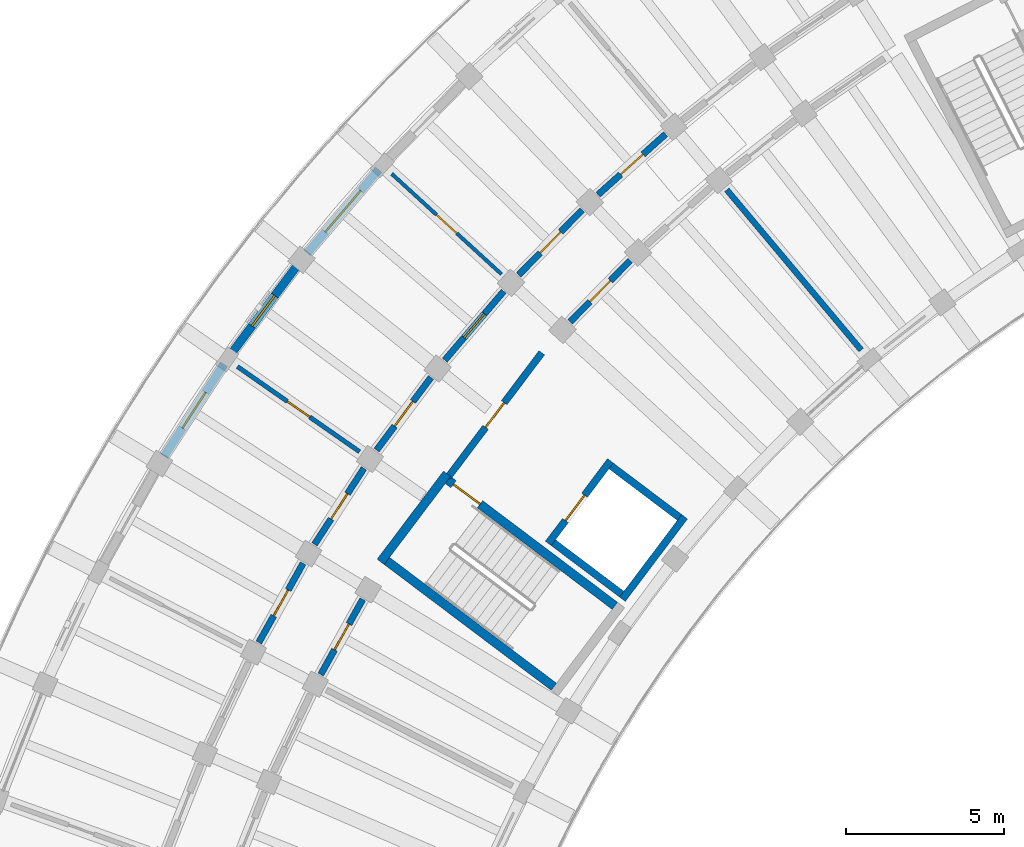
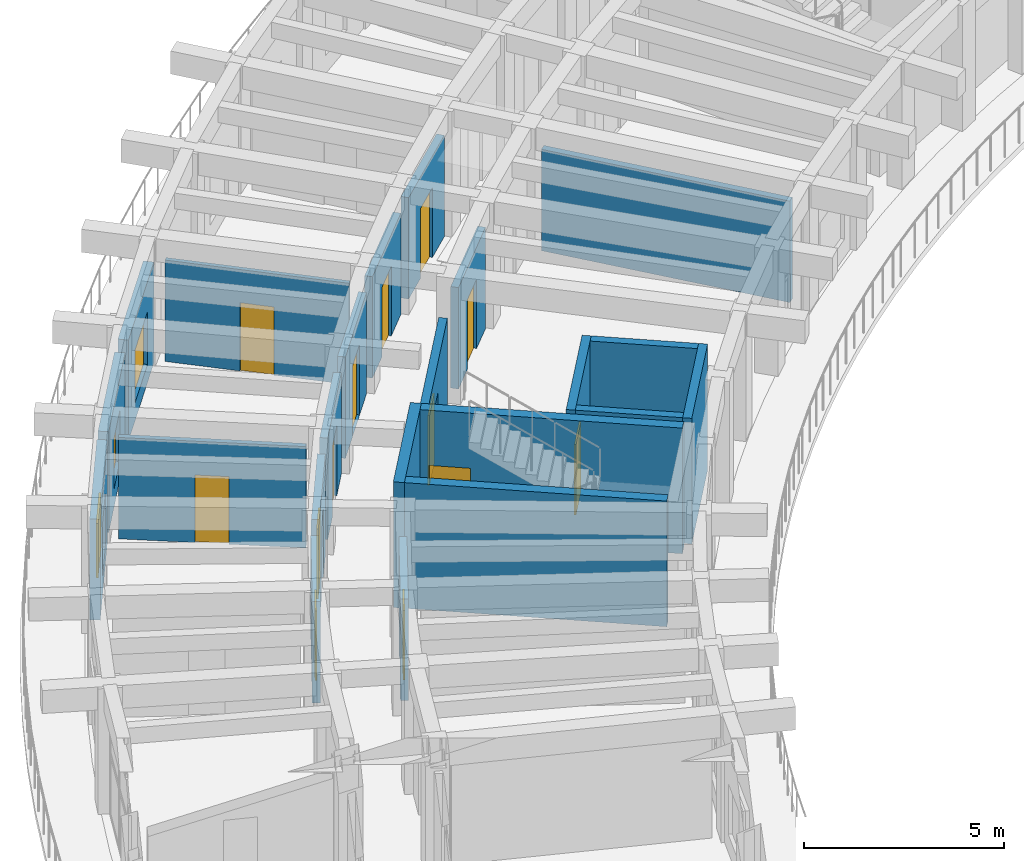
# One storey, part 88 of 128: 22 walls, 13 doors, 3 windows, 16 openings.
"""IFC4 building model written with IfcOpenShell, lengths in metres."""

from ifc_helpers import new_model, si_unit, direction, frame, frame_2d, origin, place, context, subcontext, project, spatial, rectangle, extrude, material, layer, layer_set, type_object, element, fill, save


model = new_model("IFC4")

# Units and contexts
model_context = context("Model", 3, precision=1e-05, world=origin(), true_north=direction((0.0, 1.0)))
body_context = subcontext(model_context, "Body", "Model", "MODEL_VIEW")
ifc_project = project(units=[si_unit("LENGTHUNIT", "METRE"), si_unit("AREAUNIT", "SQUARE_METRE"), si_unit("VOLUMEUNIT", "CUBIC_METRE"), si_unit("PLANEANGLEUNIT", "RADIAN"), si_unit("MASSUNIT", "GRAM", prefix="KILO")], contexts=[model_context])

# Site, building, storey
site_placement = place(None, origin())
site = spatial("IfcSite", under=ifc_project, at=site_placement, CompositionType="ELEMENT")
building_placement = place(site_placement, origin())
building = spatial("IfcBuilding", under=site, at=building_placement, Name="Tanwirah Colonnade Gardens", CompositionType="ELEMENT")
storey_placement = place(building_placement, frame((0.0, 0.0, 4.760009765625)))
storey = spatial("IfcBuildingStorey", under=building, at=storey_placement, Name="L01", CompositionType="ELEMENT", Elevation=4.760009765625)

# Wall, opening, window
ifc_material_1 = material(Name="Limestone architectural precast concrete C40/50", Category="masonry")
ifc_layer_1 = layer(ifc_material_1, 0.27001953125)
ifc_layer_set_1 = layer_set([ifc_layer_1], Name="Limestone architectural precast concrete C40/50")
wall_type_1 = type_object("IfcWallType", Name="EW-PC270", PredefinedType="SOLIDWALL", material=ifc_layer_set_1)
wall_1_placement = place(storey_placement, frame((20.939208984375, 100.251953125, 0.0), z_axis=(0.0, 0.0, 1.0), x_axis=(-0.650211044889, -0.759753642376, 0.0)))
wall_1 = element("IfcWall", 1, at=wall_1_placement, inside=storey, type_object=wall_type_1, Name="Block A L01 OUT Precast Facade Wall 11", PredefinedType="SOLIDWALL", context=body_context, shape_type="SweptSolid", body=[
    extrude(rectangle(XDim=3.465576171875, YDim=0.27001953125, at=frame_2d((1.73291015625, 0.0))), origin(), (0.0, 0.0, 1.0), 3.074951171875),
])
opening_1_placement = place(wall_1_placement, frame((0.872802734375, 0.0, 0.550048828125)))
opening_1 = element("IfcOpeningElement", 2, at=opening_1_placement, cuts=wall_1, Name="Opening WIN-U15", PredefinedType="OPENING", context=body_context, shape_type="SweptSolid", body=[
    extrude(rectangle(XDim=1.719970703125, YDim=1.610107421875, at=frame_2d((0.85986328125, 0.80517578125))), frame((0.0, 0.14501953125, 0.0), z_axis=(0.0, -1.0, 0.0), x_axis=(1.0, 0.0, 0.0)), (0.0, 0.0, 1.0), 0.2900390625),
])
ifc_material_2 = material(Name="Thermally broken bronze aluminium and solar low-E double glazing", Category="aluminium")
window_type_1 = type_object("IfcWindowType", Name="WIN-U15", PartitioningType="DOUBLE_PANEL_VERTICAL", PredefinedType="WINDOW", material=ifc_material_2)
window_1_placement = place(opening_1_placement, origin())
window_1 = element("IfcWindow", 3, at=window_1_placement, inside=storey, type_object=window_type_1, Name="Facade window A-L01-OUT-11", OverallHeight=1.610107421875, OverallWidth=1.719970703125, PartitioningType="SINGLE_PANEL", PredefinedType="WINDOW", context=body_context, shape_type="SweptSolid", body=[
    extrude(rectangle(XDim=1.719970703125, YDim=1.610107421875, at=frame_2d((0.85986328125, 0.80517578125))), frame((0.0, 0.030029296875, 0.0), z_axis=(0.0, -1.0, 0.0), x_axis=(1.0, 0.0, 0.0)), (0.0, 0.0, 1.0), 0.06005859375),
])
fill(opening_1, window_1)

wall_2_placement = place(storey_placement, frame((18.336181640625, 97.181884765625, 0.0), z_axis=(0.0, 0.0, 1.0), x_axis=(-0.598714304455, -0.80096265933, 0.0)))
wall_2 = element("IfcWall", 4, at=wall_2_placement, inside=storey, type_object=wall_type_1, Name="Block A L01 OUT Precast Facade Wall 12", PredefinedType="SOLIDWALL", context=body_context, shape_type="SweptSolid", body=[
    extrude(rectangle(XDim=3.465576171875, YDim=0.27001953125, at=frame_2d((1.73291015625, 0.0))), origin(), (0.0, 0.0, 1.0), 3.074951171875),
])
opening_2_placement = place(wall_2_placement, frame((1.1328125, 0.0, 0.550048828125)))
opening_2 = element("IfcOpeningElement", 5, at=opening_2_placement, cuts=wall_2, Name="Opening WIN-T02", PredefinedType="OPENING", context=body_context, shape_type="SweptSolid", body=[
    extrude(rectangle(XDim=1.199951171875, YDim=1.550048828125, at=frame_2d((0.60009765625, 0.77490234375))), frame((0.0, 0.14501953125, 0.0), z_axis=(0.0, -1.0, 0.0), x_axis=(1.0, 0.0, 0.0)), (0.0, 0.0, 1.0), 0.2900390625),
])
window_type_2 = type_object("IfcWindowType", Name="WIN-T02", PartitioningType="SINGLE_PANEL", PredefinedType="WINDOW", material=ifc_material_2)
window_2_placement = place(opening_2_placement, origin())
window_2 = element("IfcWindow", 6, at=window_2_placement, inside=storey, type_object=window_type_2, Name="Facade window A-L01-OUT-12", OverallHeight=1.550048828125, OverallWidth=1.199951171875, PartitioningType="SINGLE_PANEL", PredefinedType="WINDOW", context=body_context, shape_type="SweptSolid", body=[
    extrude(rectangle(XDim=1.199951171875, YDim=1.550048828125, at=frame_2d((0.60009765625, 0.77490234375))), frame((0.0, 0.030029296875, 0.0), z_axis=(0.0, -1.0, 0.0), x_axis=(1.0, 0.0, 0.0)), (0.0, 0.0, 1.0), 0.06005859375),
])
fill(opening_2, window_2)

wall_3_placement = place(storey_placement, frame((16.055419921875, 94.11083984375, 0.0), z_axis=(0.0, 0.0, 1.0), x_axis=(-0.544678802261, -0.838644741453, 0.0)))
wall_3 = element("IfcWall", 7, at=wall_3_placement, inside=storey, type_object=wall_type_1, Name="Block A L01 OUT Precast Facade Wall 13", PredefinedType="SOLIDWALL", context=body_context, shape_type="SweptSolid", body=[
    extrude(rectangle(XDim=3.4658203125, YDim=0.27001953125, at=frame_2d((1.73291015625, 0.0))), origin(), (0.0, 0.0, 1.0), 3.074951171875),
])
opening_3_placement = place(wall_3_placement, frame((1.057861328125, 0.0, 0.550048828125)))
opening_3 = element("IfcOpeningElement", 8, at=opening_3_placement, cuts=wall_3, Name="Opening WIN-T05", PredefinedType="OPENING", context=body_context, shape_type="SweptSolid", body=[
    extrude(rectangle(XDim=1.35009765625, YDim=1.64990234375, at=frame_2d((0.675048828125, 0.824951171875))), frame((0.0, 0.14501953125, 0.0), z_axis=(0.0, -1.0, 0.0), x_axis=(1.0, 0.0, 0.0)), (0.0, 0.0, 1.0), 0.2900390625),
])
window_type_3 = type_object("IfcWindowType", Name="WIN-T05", PartitioningType="DOUBLE_PANEL_VERTICAL", PredefinedType="WINDOW", material=ifc_material_2)
window_3_placement = place(opening_3_placement, origin())
window_3 = element("IfcWindow", 9, at=window_3_placement, inside=storey, type_object=window_type_3, Name="Facade window A-L01-OUT-13", OverallHeight=1.64990234375, OverallWidth=1.35009765625, PartitioningType="SINGLE_PANEL", PredefinedType="WINDOW", context=body_context, shape_type="SweptSolid", body=[
    extrude(rectangle(XDim=1.35009765625, YDim=1.64990234375, at=frame_2d((0.675048828125, 0.824951171875))), frame((0.0, 0.030029296875, 0.0), z_axis=(0.0, -1.0, 0.0), x_axis=(1.0, 0.0, 0.0)), (0.0, 0.0, 1.0), 0.06005859375),
])
fill(opening_3, window_3)

# Wall, opening, door
ifc_material_3 = material(Name="Precast concrete C40/50", Category="concrete")
ifc_layer_2 = layer(ifc_material_3, 0.205078125)
ifc_layer_set_2 = layer_set([ifc_layer_2], Name="Precast concrete C40/50")
wall_type_2 = type_object("IfcWallType", Name="IW-CORR205", PredefinedType="PARTITIONING", material=ifc_layer_set_2)
wall_4_placement = place(storey_placement, frame((29.996826171875, 101.37109375, 0.0), z_axis=(0.0, 0.0, 1.0), x_axis=(-0.744433521088, -0.667696587291, 0.0)))
wall_4 = element("IfcWall", 10, at=wall_4_placement, inside=storey, type_object=wall_type_2, Name="Block A L01 OUT Corridor Wall 9", PredefinedType="PARTITIONING", context=body_context, shape_type="SweptSolid", body=[
    extrude(rectangle(XDim=2.86328125, YDim=0.205078125, at=frame_2d((1.431640625, 0.0))), origin(), (0.0, 0.0, 1.0), 3.090087890625),
])
opening_4_placement = place(wall_4_placement, frame((0.95654296875, 0.0, 0.0)))
opening_4 = element("IfcOpeningElement", 11, at=opening_4_placement, cuts=wall_4, Name="Opening L01-AD284", PredefinedType="OPENING", context=body_context, shape_type="SweptSolid", body=[
    extrude(rectangle(XDim=0.949951171875, YDim=2.1298828125, at=frame_2d((0.47509765625, 1.06494140625))), frame((0.0, 0.112548828125, 0.0), z_axis=(0.0, -1.0, 0.0), x_axis=(1.0, 0.0, 0.0)), (0.0, 0.0, 1.0), 0.22509765625),
])
ifc_material_4 = material(Name="Solid oak fire-resisting apartment entrance door")
door_type_1 = type_object("IfcDoorType", Name="ID-FLT095", OperationType="NOTDEFINED", PredefinedType="DOOR", material=ifc_material_4)
door_1_placement = place(opening_4_placement, origin())
door_1 = element("IfcDoor", 12, at=door_1_placement, inside=storey, type_object=door_type_1, Name="Apartment corridor door L01-AD284", OperationType="SINGLE_SWING_LEFT", OverallHeight=2.1298828125, OverallWidth=0.949951171875, PredefinedType="DOOR", context=body_context, shape_type="SweptSolid", body=[
    extrude(rectangle(XDim=0.949951171875, YDim=2.1298828125, at=frame_2d((0.47509765625, 1.06494140625))), frame((0.0, 0.02490234375, 0.0), z_axis=(0.0, -1.0, 0.0), x_axis=(1.0, 0.0, 0.0)), (0.0, 0.0, 1.0), 0.050048828125),
])
fill(opening_4, door_1)

wall_5_placement = place(storey_placement, frame((27.360107421875, 98.975341796875, 0.0), z_axis=(0.0, 0.0, 1.0), x_axis=(-0.698787219683, -0.715329589496, 0.0)))
wall_5 = element("IfcWall", 13, at=wall_5_placement, inside=storey, type_object=wall_type_2, Name="Block A L01 OUT Corridor Wall 10", PredefinedType="PARTITIONING", context=body_context, shape_type="SweptSolid", body=[
    extrude(rectangle(XDim=2.863037109375, YDim=0.205078125, at=frame_2d((1.431640625, 0.0))), origin(), (0.0, 0.0, 1.0), 3.090087890625),
])
opening_5_placement = place(wall_5_placement, frame((0.966552734375, 0.0, 0.0)))
opening_5 = element("IfcOpeningElement", 14, at=opening_5_placement, cuts=wall_5, Name="Opening L01-AD286", PredefinedType="OPENING", context=body_context, shape_type="SweptSolid", body=[
    extrude(rectangle(XDim=0.929931640625, YDim=2.1201171875, at=frame_2d((0.46484375, 1.06005859375))), frame((0.0, 0.112548828125, 0.0), z_axis=(0.0, -1.0, 0.0), x_axis=(1.0, 0.0, 0.0)), (0.0, 0.0, 1.0), 0.22509765625),
])
door_type_2 = type_object("IfcDoorType", Name="ID-FLT093", OperationType="NOTDEFINED", PredefinedType="DOOR", material=ifc_material_4)
door_2_placement = place(opening_5_placement, origin())
door_2 = element("IfcDoor", 15, at=door_2_placement, inside=storey, type_object=door_type_2, Name="Apartment corridor door L01-AD286", OperationType="SINGLE_SWING_RIGHT", OverallHeight=2.1201171875, OverallWidth=0.929931640625, PredefinedType="DOOR", context=body_context, shape_type="SweptSolid", body=[
    extrude(rectangle(XDim=0.929931640625, YDim=2.1201171875, at=frame_2d((0.46484375, 1.06005859375))), frame((0.0, 0.02490234375, 0.0), z_axis=(0.0, -1.0, 0.0), x_axis=(1.0, 0.0, 0.0)), (0.0, 0.0, 1.0), 0.050048828125),
])
fill(opening_5, door_2)

wall_6_placement = place(storey_placement, frame((28.88232421875, 97.38671875, 0.0), z_axis=(0.0, 0.0, 1.0), x_axis=(-0.698840007829, -0.715278018296, 0.0)))
wall_6 = element("IfcWall", 16, at=wall_6_placement, inside=storey, type_object=wall_type_2, Name="Block A L01 IN Corridor Wall 10", PredefinedType="PARTITIONING", context=body_context, shape_type="SweptSolid", body=[
    extrude(rectangle(XDim=2.718017578125, YDim=0.205078125, at=frame_2d((1.35888671875, 0.0))), origin(), (0.0, 0.0, 1.0), 3.090087890625),
])
opening_6_placement = place(wall_6_placement, frame((0.89404296875, 0.0, 0.0)))
opening_6 = element("IfcOpeningElement", 17, at=opening_6_placement, cuts=wall_6, Name="Opening L01-AD287", PredefinedType="OPENING", context=body_context, shape_type="SweptSolid", body=[
    extrude(rectangle(XDim=0.929931640625, YDim=2.1201171875, at=frame_2d((0.46484375, 1.06005859375))), frame((0.0, 0.112548828125, 0.0), z_axis=(0.0, -1.0, 0.0), x_axis=(1.0, 0.0, 0.0)), (0.0, 0.0, 1.0), 0.22509765625),
])
door_3_placement = place(opening_6_placement, origin())
door_3 = element("IfcDoor", 18, at=door_3_placement, inside=storey, type_object=door_type_2, Name="Apartment corridor door L01-AD287", OperationType="SINGLE_SWING_LEFT", OverallHeight=2.1201171875, OverallWidth=0.929931640625, PredefinedType="DOOR", context=body_context, shape_type="SweptSolid", body=[
    extrude(rectangle(XDim=0.929931640625, YDim=2.1201171875, at=frame_2d((0.46484375, 1.06005859375))), frame((0.0, 0.02490234375, 0.0), z_axis=(0.0, -1.0, 0.0), x_axis=(1.0, 0.0, 0.0)), (0.0, 0.0, 1.0), 0.050048828125),
])
fill(opening_6, door_3)

wall_7_placement = place(storey_placement, frame((24.88720703125, 96.4111328125, 0.0), z_axis=(0.0, 0.0, 1.0), x_axis=(-0.650194272684, -0.759767996015, 0.0)))
wall_7 = element("IfcWall", 19, at=wall_7_placement, inside=storey, type_object=wall_type_2, Name="Block A L01 OUT Corridor Wall 11", PredefinedType="PARTITIONING", context=body_context, shape_type="SweptSolid", body=[
    extrude(rectangle(XDim=2.863037109375, YDim=0.205078125, at=frame_2d((1.431640625, 0.0))), origin(), (0.0, 0.0, 1.0), 3.090087890625),
])
opening_7_placement = place(wall_7_placement, frame((0.9365234375, 0.0, 0.0)))
opening_7 = element("IfcOpeningElement", 20, at=opening_7_placement, cuts=wall_7, Name="Opening L01-AD289", PredefinedType="OPENING", context=body_context, shape_type="SweptSolid", body=[
    extrude(rectangle(XDim=0.989990234375, YDim=2.159912109375, at=frame_2d((0.4951171875, 1.080078125))), frame((0.0, 0.112548828125, 0.0), z_axis=(0.0, -1.0, 0.0), x_axis=(1.0, 0.0, 0.0)), (0.0, 0.0, 1.0), 0.22509765625),
])
door_type_3 = type_object("IfcDoorType", Name="ID-FLT099", OperationType="NOTDEFINED", PredefinedType="DOOR", material=ifc_material_4)
door_4_placement = place(opening_7_placement, origin())
door_4 = element("IfcDoor", 21, at=door_4_placement, inside=storey, type_object=door_type_3, Name="Apartment corridor door L01-AD289", OperationType="SINGLE_SWING_LEFT", OverallHeight=2.159912109375, OverallWidth=0.989990234375, PredefinedType="DOOR", context=body_context, shape_type="SweptSolid", body=[
    extrude(rectangle(XDim=0.989990234375, YDim=2.159912109375, at=frame_2d((0.4951171875, 1.080078125))), frame((0.0, 0.02490234375, 0.0), z_axis=(0.0, -1.0, 0.0), x_axis=(1.0, 0.0, 0.0)), (0.0, 0.0, 1.0), 0.050048828125),
])
fill(opening_7, door_4)

wall_8_placement = place(storey_placement, frame((22.588623046875, 93.689453125, 0.0), z_axis=(0.0, 0.0, 1.0), x_axis=(-0.598757763243, -0.800930172335, 0.0)))
wall_8 = element("IfcWall", 22, at=wall_8_placement, inside=storey, type_object=wall_type_2, Name="Block A L01 OUT Corridor Wall 12", PredefinedType="PARTITIONING", context=body_context, shape_type="SweptSolid", body=[
    extrude(rectangle(XDim=2.86328125, YDim=0.205078125, at=frame_2d((1.431640625, 0.0))), origin(), (0.0, 0.0, 1.0), 3.090087890625),
])
opening_8_placement = place(wall_8_placement, frame((0.946533203125, 0.0, 0.0)))
opening_8 = element("IfcOpeningElement", 23, at=opening_8_placement, cuts=wall_8, Name="Opening L01-AD290", PredefinedType="OPENING", context=body_context, shape_type="SweptSolid", body=[
    extrude(rectangle(XDim=0.969970703125, YDim=2.14990234375, at=frame_2d((0.48486328125, 1.074951171875))), frame((0.0, 0.112548828125, 0.0), z_axis=(0.0, -1.0, 0.0), x_axis=(1.0, 0.0, 0.0)), (0.0, 0.0, 1.0), 0.22509765625),
])
door_type_4 = type_object("IfcDoorType", Name="ID-FLT097", OperationType="NOTDEFINED", PredefinedType="DOOR", material=ifc_material_4)
door_5_placement = place(opening_8_placement, origin())
door_5 = element("IfcDoor", 24, at=door_5_placement, inside=storey, type_object=door_type_4, Name="Apartment corridor door L01-AD290", OperationType="SINGLE_SWING_RIGHT", OverallHeight=2.14990234375, OverallWidth=0.969970703125, PredefinedType="DOOR", context=body_context, shape_type="SweptSolid", body=[
    extrude(rectangle(XDim=0.969970703125, YDim=2.14990234375, at=frame_2d((0.48486328125, 1.074951171875))), frame((0.0, 0.02490234375, 0.0), z_axis=(0.0, -1.0, 0.0), x_axis=(1.0, 0.0, 0.0)), (0.0, 0.0, 1.0), 0.050048828125),
])
fill(opening_8, door_5)

wall_9_placement = place(storey_placement, frame((20.47412109375, 90.822265625, 0.0), z_axis=(0.0, 0.0, 1.0), x_axis=(-0.544643612649, -0.838667595178, 0.0)))
wall_9 = element("IfcWall", 25, at=wall_9_placement, inside=storey, type_object=wall_type_2, Name="Block A L01 OUT Corridor Wall 13", PredefinedType="PARTITIONING", context=body_context, shape_type="SweptSolid", body=[
    extrude(rectangle(XDim=2.863037109375, YDim=0.205078125, at=frame_2d((1.431640625, 0.0))), origin(), (0.0, 0.0, 1.0), 3.090087890625),
])
opening_9_placement = place(wall_9_placement, frame((0.95654296875, 0.0, 0.0)))
opening_9 = element("IfcOpeningElement", 26, at=opening_9_placement, cuts=wall_9, Name="Opening L01-AD292", PredefinedType="OPENING", context=body_context, shape_type="SweptSolid", body=[
    extrude(rectangle(XDim=0.949951171875, YDim=2.1298828125, at=frame_2d((0.47509765625, 1.06494140625))), frame((0.0, 0.112548828125, 0.0), z_axis=(0.0, -1.0, 0.0), x_axis=(1.0, 0.0, 0.0)), (0.0, 0.0, 1.0), 0.22509765625),
])
door_6_placement = place(opening_9_placement, origin())
door_6 = element("IfcDoor", 27, at=door_6_placement, inside=storey, type_object=door_type_1, Name="Apartment corridor door L01-AD292", OperationType="SINGLE_SWING_LEFT", OverallHeight=2.1298828125, OverallWidth=0.949951171875, PredefinedType="DOOR", context=body_context, shape_type="SweptSolid", body=[
    extrude(rectangle(XDim=0.949951171875, YDim=2.1298828125, at=frame_2d((0.47509765625, 1.06494140625))), frame((0.0, 0.02490234375, 0.0), z_axis=(0.0, -1.0, 0.0), x_axis=(1.0, 0.0, 0.0)), (0.0, 0.0, 1.0), 0.050048828125),
])
fill(opening_9, door_6)

wall_10_placement = place(storey_placement, frame((18.55322265625, 87.822021484375, 0.0), z_axis=(0.0, 0.0, 1.0), x_axis=(-0.488211211273, -0.872725508501, 0.0)))
wall_10 = element("IfcWall", 28, at=wall_10_placement, inside=storey, type_object=wall_type_2, Name="Block A L01 OUT Corridor Wall 14", PredefinedType="PARTITIONING", context=body_context, shape_type="SweptSolid", body=[
    extrude(rectangle(XDim=2.86279296875, YDim=0.205078125, at=frame_2d((1.431396484375, 0.0))), origin(), (0.0, 0.0, 1.0), 3.090087890625),
])
opening_10_placement = place(wall_10_placement, frame((0.966552734375, 0.0, 0.0)))
opening_10 = element("IfcOpeningElement", 29, at=opening_10_placement, cuts=wall_10, Name="Opening L01-AD293", PredefinedType="OPENING", context=body_context, shape_type="SweptSolid", body=[
    extrude(rectangle(XDim=0.929931640625, YDim=2.1201171875, at=frame_2d((0.46484375, 1.06005859375))), frame((0.0, 0.112548828125, 0.0), z_axis=(0.0, -1.0, 0.0), x_axis=(1.0, 0.0, 0.0)), (0.0, 0.0, 1.0), 0.22509765625),
])
door_7_placement = place(opening_10_placement, origin())
door_7 = element("IfcDoor", 30, at=door_7_placement, inside=storey, type_object=door_type_2, Name="Apartment corridor door L01-AD293", OperationType="SINGLE_SWING_RIGHT", OverallHeight=2.1201171875, OverallWidth=0.929931640625, PredefinedType="DOOR", context=body_context, shape_type="SweptSolid", body=[
    extrude(rectangle(XDim=0.929931640625, YDim=2.1201171875, at=frame_2d((0.46484375, 1.06005859375))), frame((0.0, 0.02490234375, 0.0), z_axis=(0.0, -1.0, 0.0), x_axis=(1.0, 0.0, 0.0)), (0.0, 0.0, 1.0), 0.050048828125),
])
fill(opening_10, door_7)

wall_11_placement = place(storey_placement, frame((20.436767578125, 86.685302734375, 0.0), z_axis=(0.0, 0.0, 1.0), x_axis=(-0.48819576874, -0.872734147025, 0.0)))
wall_11 = element("IfcWall", 31, at=wall_11_placement, inside=storey, type_object=wall_type_2, Name="Block A L01 IN Corridor Wall 14", PredefinedType="PARTITIONING", context=body_context, shape_type="SweptSolid", body=[
    extrude(rectangle(XDim=2.718017578125, YDim=0.205078125, at=frame_2d((1.35888671875, 0.0))), origin(), (0.0, 0.0, 1.0), 3.090087890625),
])
opening_11_placement = place(wall_11_placement, frame((0.89404296875, 0.0, 0.0)))
opening_11 = element("IfcOpeningElement", 32, at=opening_11_placement, cuts=wall_11, Name="Opening L01-AD294", PredefinedType="OPENING", context=body_context, shape_type="SweptSolid", body=[
    extrude(rectangle(XDim=0.929931640625, YDim=2.1201171875, at=frame_2d((0.46484375, 1.06005859375))), frame((0.0, 0.112548828125, 0.0), z_axis=(0.0, -1.0, 0.0), x_axis=(1.0, 0.0, 0.0)), (0.0, 0.0, 1.0), 0.22509765625),
])
door_8_placement = place(opening_11_placement, origin())
door_8 = element("IfcDoor", 33, at=door_8_placement, inside=storey, type_object=door_type_2, Name="Apartment corridor door L01-AD294", OperationType="SINGLE_SWING_LEFT", OverallHeight=2.1201171875, OverallWidth=0.929931640625, PredefinedType="DOOR", context=body_context, shape_type="SweptSolid", body=[
    extrude(rectangle(XDim=0.929931640625, YDim=2.1201171875, at=frame_2d((0.46484375, 1.06005859375))), frame((0.0, 0.02490234375, 0.0), z_axis=(0.0, -1.0, 0.0), x_axis=(1.0, 0.0, 0.0)), (0.0, 0.0, 1.0), 0.050048828125),
])
fill(opening_11, door_8)

# Wall
ifc_layer_3 = layer(ifc_material_3, 0.18505859375)
ifc_layer_set_3 = layer_set([ifc_layer_3], Name="Precast concrete C40/50")
wall_type_3 = type_object("IfcWallType", Name="IW-DEM185", PredefinedType="PARTITIONING", material=ifc_layer_set_3)
wall_12_placement = place(storey_placement, frame((36.1708984375, 94.55712890625, 0.0), z_axis=(0.0, 0.0, 1.0), x_axis=(-0.642789470807, 0.766042881449, 0.0)))
element("IfcWall", 34, at=wall_12_placement, inside=storey, type_object=wall_type_3, Name="Block A L01 Inner Radial Partition 8", PredefinedType="PARTITIONING", context=body_context, shape_type="SweptSolid", body=[
    extrude(rectangle(XDim=6.60009765625, YDim=0.18505859375, at=frame_2d((3.300048828125, 0.0))), origin(), (0.0, 0.0, 1.0), 3.090087890625),
])

# Wall, opening, door
ifc_material_5 = material(Name="Autoclaved aerated masonry blockwork", Category="masonry")
ifc_layer_4 = layer(ifc_material_5, 0.219970703125)
ifc_layer_set_4 = layer_set([ifc_layer_4], Name="Autoclaved aerated masonry blockwork")
wall_type_4 = type_object("IfcWallType", Name="IW-FFL220", PredefinedType="PARTITIONING", material=ifc_layer_set_4)
wall_13_placement = place(storey_placement, frame((23.138916015625, 90.55517578125, 0.0), z_axis=(0.0, 0.0, 1.0), x_axis=(0.601792209296, 0.79865270101, 0.0)))
wall_13 = element("IfcWall", 35, at=wall_13_placement, inside=storey, type_object=wall_type_4, Name="CORE-A2 L01 Enclosed Lobby Fire Wall", PredefinedType="PARTITIONING", context=body_context, shape_type="SweptSolid", body=[
    extrude(rectangle(XDim=4.89990234375, YDim=0.219970703125, at=frame_2d((2.449951171875, 0.0))), origin(), (0.0, 0.0, 1.0), 3.06005859375),
])
opening_12_placement = place(wall_13_placement, frame((1.949951171875, 0.0, 0.0)))
opening_12 = element("IfcOpeningElement", 36, at=opening_12_placement, cuts=wall_13, Name="Opening L01-LD051", PredefinedType="OPENING", context=body_context, shape_type="SweptSolid", body=[
    extrude(rectangle(XDim=0.97998046875, YDim=2.139892578125, at=frame_2d((0.489990234375, 1.06982421875))), frame((0.0, 0.119873046875, 0.0), z_axis=(0.0, -1.0, 0.0), x_axis=(1.0, 0.0, 0.0)), (0.0, 0.0, 1.0), 0.239990234375),
])
ifc_material_6 = material(Name="Acoustic fire-resisting lobby door")
door_type_5 = type_object("IfcDoorType", Name="ID-FFL098", OperationType="NOTDEFINED", PredefinedType="DOOR", material=ifc_material_6)
door_9_placement = place(opening_12_placement, origin())
door_9 = element("IfcDoor", 37, at=door_9_placement, inside=storey, type_object=door_type_5, Name="CORE-A2 L01 Lobby Fire Door L01-LD051", OperationType="SINGLE_SWING_RIGHT", OverallHeight=2.139892578125, OverallWidth=0.97998046875, PredefinedType="DOOR", context=body_context, shape_type="SweptSolid", body=[
    extrude(rectangle(XDim=0.97998046875, YDim=2.139892578125, at=frame_2d((0.489990234375, 1.06982421875))), frame((0.0, 0.02490234375, 0.0), z_axis=(0.0, -1.0, 0.0), x_axis=(1.0, 0.0, 0.0)), (0.0, 0.0, 1.0), 0.050048828125),
])
fill(opening_12, door_9)

ifc_material_7 = material(Name="Acoustic gypsum stud partition")
ifc_layer_5 = layer(ifc_material_7, 0.114990234375)
ifc_layer_set_5 = layer_set([ifc_layer_5], Name="Acoustic gypsum stud partition")
wall_type_5 = type_object("IfcWallType", Name="IW-INT115", PredefinedType="PARTITIONING", material=ifc_layer_set_5)
wall_14_placement = place(storey_placement, frame((24.819580078125, 96.947021484375, 0.0), z_axis=(0.0, 0.0, 1.0), x_axis=(-0.737934199263, 0.674872667663, 0.0)))
wall_14 = element("IfcWall", 38, at=wall_14_placement, inside=storey, type_object=wall_type_5, Name="Block A L01 Radial Partition 10", PredefinedType="PARTITIONING", context=body_context, shape_type="SweptSolid", body=[
    extrude(rectangle(XDim=4.699951171875, YDim=0.114990234375, at=frame_2d((2.35009765625, 0.0))), origin(), (0.0, 0.0, 1.0), 3.090087890625),
])
opening_13_placement = place(wall_14_placement, frame((1.9150390625, 0.0, 0.0)))
opening_13 = element("IfcOpeningElement", 39, at=opening_13_placement, cuts=wall_14, Name="Opening L01-RD288", PredefinedType="OPENING", context=body_context, shape_type="SweptSolid", body=[
    extrude(rectangle(XDim=0.8701171875, YDim=2.080078125, at=frame_2d((0.43505859375, 1.0400390625))), frame((0.0, 0.0673828125, 0.0), z_axis=(0.0, -1.0, 0.0), x_axis=(1.0, 0.0, 0.0)), (0.0, 0.0, 1.0), 0.135009765625),
])
ifc_material_8 = material(Name="Painted hardwood study door", Category="wood")
door_type_6 = type_object("IfcDoorType", Name="ID-RM087", OperationType="NOTDEFINED", PredefinedType="DOOR", material=ifc_material_8)
door_10_placement = place(opening_13_placement, origin())
door_10 = element("IfcDoor", 40, at=door_10_placement, inside=storey, type_object=door_type_6, Name="Internal apartment door L01-RD288", OperationType="SINGLE_SWING_RIGHT", OverallHeight=2.080078125, OverallWidth=0.8701171875, PredefinedType="DOOR", context=body_context, shape_type="SweptSolid", body=[
    extrude(rectangle(XDim=0.8701171875, YDim=2.080078125, at=frame_2d((0.43505859375, 1.0400390625))), frame((0.0, 0.02490234375, 0.0), z_axis=(0.0, -1.0, 0.0), x_axis=(1.0, 0.0, 0.0)), (0.0, 0.0, 1.0), 0.050048828125),
])
fill(opening_13, door_10)

ifc_material_9 = material(Name="Water-resistant acoustic plumbing partition")
ifc_layer_6 = layer(ifc_material_9, 0.139892578125)
ifc_layer_set_6 = layer_set([ifc_layer_6], Name="Water-resistant acoustic plumbing partition")
wall_type_6 = type_object("IfcWallType", Name="IW-WET140", PredefinedType="PLUMBINGWALL", material=ifc_layer_set_6)
wall_15_placement = place(storey_placement, frame((20.336669921875, 91.3447265625, 0.0), z_axis=(0.0, 0.0, 1.0), x_axis=(-0.820272617205, 0.571972755876, 0.0)))
wall_15 = element("IfcWall", 41, at=wall_15_placement, inside=storey, type_object=wall_type_6, Name="Block A L01 Radial Partition 12", PredefinedType="PLUMBINGWALL", context=body_context, shape_type="SweptSolid", body=[
    extrude(rectangle(XDim=4.699951171875, YDim=0.139892578125, at=frame_2d((2.35009765625, 0.0))), origin(), (0.0, 0.0, 1.0), 3.090087890625),
])
opening_14_placement = place(wall_15_placement, frame((1.919921875, 0.0, 0.0)))
opening_14 = element("IfcOpeningElement", 42, at=opening_14_placement, cuts=wall_15, Name="Opening L01-RD291", PredefinedType="OPENING", context=body_context, shape_type="SweptSolid", body=[
    extrude(rectangle(XDim=0.860107421875, YDim=2.06005859375, at=frame_2d((0.43017578125, 1.030029296875))), frame((0.0, 0.079833984375, 0.0), z_axis=(0.0, -1.0, 0.0), x_axis=(1.0, 0.0, 0.0)), (0.0, 0.0, 1.0), 0.159912109375),
])
ifc_material_10 = material(Name="Moisture-resistant bathroom door")
door_type_7 = type_object("IfcDoorType", Name="ID-WET086", OperationType="NOTDEFINED", PredefinedType="DOOR", material=ifc_material_10)
door_11_placement = place(opening_14_placement, origin())
door_11 = element("IfcDoor", 43, at=door_11_placement, inside=storey, type_object=door_type_7, Name="Internal apartment door L01-RD291", OperationType="SINGLE_SWING_RIGHT", OverallHeight=2.06005859375, OverallWidth=0.860107421875, PredefinedType="DOOR", context=body_context, shape_type="SweptSolid", body=[
    extrude(rectangle(XDim=0.860107421875, YDim=2.06005859375, at=frame_2d((0.43017578125, 1.030029296875))), frame((0.0, 0.02490234375, 0.0), z_axis=(0.0, -1.0, 0.0), x_axis=(1.0, 0.0, 0.0)), (0.0, 0.0, 1.0), 0.050048828125),
])
fill(opening_14, door_11)

# Walls
ifc_material_11 = material(Name="Concrete C45/55", Category="concrete")
ifc_layer_7 = layer(ifc_material_11, 0.280029296875)
ifc_layer_set_7 = layer_set([ifc_layer_7], Name="Concrete C45/55")
wall_type_7 = type_object("IfcWallType", Name="SW-CORE280", PredefinedType="SHEAR", material=ifc_layer_set_7)
wall_16_placement = place(storey_placement, frame((21.19873046875, 87.8974609375, 0.0), z_axis=(0.0, 0.0, 1.0), x_axis=(0.798639633744, -0.601809550782, 0.0)))
element("IfcWall", 44, at=wall_16_placement, inside=storey, type_object=wall_type_7, Name="CORE-A2 L01 Stair Shaft Shear Wall LEFT", PredefinedType="SHEAR", context=body_context, shape_type="SweptSolid", body=[
    extrude(rectangle(XDim=6.599853515625, YDim=0.280029296875, at=frame_2d((3.2998046875, 0.0))), origin(), (0.0, 0.0, 1.0), 3.830078125),
])
wall_17_placement = place(storey_placement, frame((21.002685546875, 87.869873046875, 0.0), z_axis=(0.0, 0.0, 1.0), x_axis=(0.601794470585, 0.798650997102, 0.0)))
element("IfcWall", 45, at=wall_17_placement, inside=storey, type_object=wall_type_7, Name="CORE-A2 L01 Stair Shaft Shear Wall NEAR", PredefinedType="SHEAR", context=body_context, shape_type="SweptSolid", body=[
    extrude(rectangle(XDim=3.47998046875, YDim=0.280029296875, at=frame_2d((1.739990234375, 0.0))), origin(), (0.0, 0.0, 1.0), 3.830078125),
])

# Wall, opening, door
wall_18_placement = place(storey_placement, frame((23.12451171875, 90.453125, 0.0), z_axis=(0.0, 0.0, 1.0), x_axis=(0.798639633744, -0.601809550782, 0.0)))
wall_18 = element("IfcWall", 46, at=wall_18_placement, inside=storey, type_object=wall_type_7, Name="CORE-A2 L01 Stair Shaft Shear Wall RIGHT", PredefinedType="SHEAR", context=body_context, shape_type="SweptSolid", body=[
    extrude(rectangle(XDim=6.599853515625, YDim=0.280029296875, at=frame_2d((3.2998046875, 0.0))), origin(), (0.0, 0.0, 1.0), 3.830078125),
])
opening_15_placement = place(wall_18_placement, frame((0.219970703125, 0.0, 0.0)))
opening_15 = element("IfcOpeningElement", 47, at=opening_15_placement, cuts=wall_18, Name="Opening L01-SD035", PredefinedType="OPENING", context=body_context, shape_type="SweptSolid", body=[
    extrude(rectangle(XDim=1.050048828125, YDim=2.14990234375, at=frame_2d((0.52490234375, 1.074951171875))), frame((0.0, 0.14990234375, 0.0), z_axis=(0.0, -1.0, 0.0), x_axis=(1.0, 0.0, 0.0)), (0.0, 0.0, 1.0), 0.300048828125),
])
ifc_material_12 = material(Name="Steel fire-resisting stair enclosure door", Category="steel")
door_type_8 = type_object("IfcDoorType", Name="ID-ST105", OperationType="NOTDEFINED", PredefinedType="DOOR", material=ifc_material_12)
door_12_placement = place(opening_15_placement, origin())
door_12 = element("IfcDoor", 48, at=door_12_placement, inside=storey, type_object=door_type_8, Name="CORE-A2 L01 Stair Fire Door L01-SD035", OperationType="SINGLE_SWING_RIGHT", OverallHeight=2.14990234375, OverallWidth=1.050048828125, PredefinedType="DOOR", context=body_context, shape_type="SweptSolid", body=[
    extrude(rectangle(XDim=1.050048828125, YDim=2.14990234375, at=frame_2d((0.52490234375, 1.074951171875))), frame((0.0, 0.02490234375, 0.0), z_axis=(0.0, -1.0, 0.0), x_axis=(1.0, 0.0, 0.0)), (0.0, 0.0, 1.0), 0.050048828125),
])
fill(opening_15, door_12)

ifc_layer_8 = layer(ifc_material_11, 0.22998046875)
ifc_layer_set_8 = layer_set([ifc_layer_8], Name="Concrete C45/55")
wall_type_8 = type_object("IfcWallType", Name="SW-LIFT230", PredefinedType="SHEAR", material=ifc_layer_set_8)
wall_19_placement = place(storey_placement, frame((26.2939453125, 88.452880859375, 0.0), z_axis=(0.0, 0.0, 1.0), x_axis=(0.601819781152, 0.798631924615, 0.0)))
wall_19 = element("IfcWall", 49, at=wall_19_placement, inside=storey, type_object=wall_type_8, Name="CORE-A2 L01 Lift Shaft Wall FRONT", PredefinedType="SHEAR", context=body_context, shape_type="SweptSolid", body=[
    extrude(rectangle(XDim=3.260009765625, YDim=0.22998046875, at=frame_2d((1.6298828125, 0.0))), origin(), (0.0, 0.0, 1.0), 3.830078125),
])
opening_16_placement = place(wall_19_placement, frame((0.89990234375, 0.0, 0.0)))
opening_16 = element("IfcOpeningElement", 50, at=opening_16_placement, cuts=wall_19, Name="Opening L01-LD-PL-A2", PredefinedType="OPENING", context=body_context, shape_type="SweptSolid", body=[
    extrude(rectangle(XDim=1.0, YDim=2.14990234375, at=frame_2d((0.5, 1.074951171875))), frame((0.0, 0.125, 0.0), z_axis=(0.0, -1.0, 0.0), x_axis=(1.0, 0.0, 0.0)), (0.0, 0.0, 1.0), 0.25),
])
ifc_material_13 = material(Name="Bronze stainless steel sliding lift landing door", Category="steel")
door_type_9 = type_object("IfcDoorType", Name="LD-PS10", OperationType="DOUBLE_DOOR_SLIDING", PredefinedType="DOOR", material=ifc_material_13)
door_13_placement = place(opening_16_placement, origin())
door_13 = element("IfcDoor", 51, at=door_13_placement, inside=storey, type_object=door_type_9, Name="Lift PL-A2 L01 Sliding Landing Door", OperationType="DOUBLE_DOOR_SLIDING", OverallHeight=2.14990234375, OverallWidth=1.0, PredefinedType="DOOR", context=body_context, shape_type="SweptSolid", body=[
    extrude(rectangle(XDim=1.0, YDim=2.14990234375, at=frame_2d((0.5, 1.074951171875))), frame((0.0, 0.02490234375, 0.0), z_axis=(0.0, -1.0, 0.0), x_axis=(1.0, 0.0, 0.0)), (0.0, 0.0, 1.0), 0.050048828125),
])
fill(opening_16, door_13)

# Walls
wall_20_placement = place(storey_placement, frame((28.634033203125, 86.689697265625, 0.0), z_axis=(0.0, 0.0, 1.0), x_axis=(0.601819781152, 0.798631924615, 0.0)))
element("IfcWall", 52, at=wall_20_placement, inside=storey, type_object=wall_type_8, Name="CORE-A2 L01 Lift Shaft Wall BACK", PredefinedType="SHEAR", context=body_context, shape_type="SweptSolid", body=[
    extrude(rectangle(XDim=3.260009765625, YDim=0.22998046875, at=frame_2d((1.6298828125, 0.0))), origin(), (0.0, 0.0, 1.0), 3.830078125),
])
for number, where, z_axis, x_axis, name in (
    (53, (26.455078125, 88.4755859375, 0.0), (0.0, 0.0, 1.0), (0.798608971494, -0.601850239387, 0.0), "CORE-A2 L01 Lift Shaft Wall SIDEA"),
    (54, (28.278564453125, 90.8955078125, 0.0), (0.0, 0.0, 1.0), (0.798608971494, -0.601850239387, 0.0), "CORE-A2 L01 Lift Shaft Wall SIDEB"),
):
    element("IfcWall", number, at=place(storey_placement, frame(where, z_axis=z_axis, x_axis=x_axis)), inside=storey, type_object=wall_type_8, Name=name, PredefinedType="SHEAR", context=body_context, shape_type="SweptSolid", body=[
        extrude(rectangle(XDim=2.699951171875, YDim=0.22998046875, at=frame_2d((1.35009765625, 0.0))), origin(), (0.0, 0.0, 1.0), 3.830078125),
    ])

save(model, "model.ifc")
